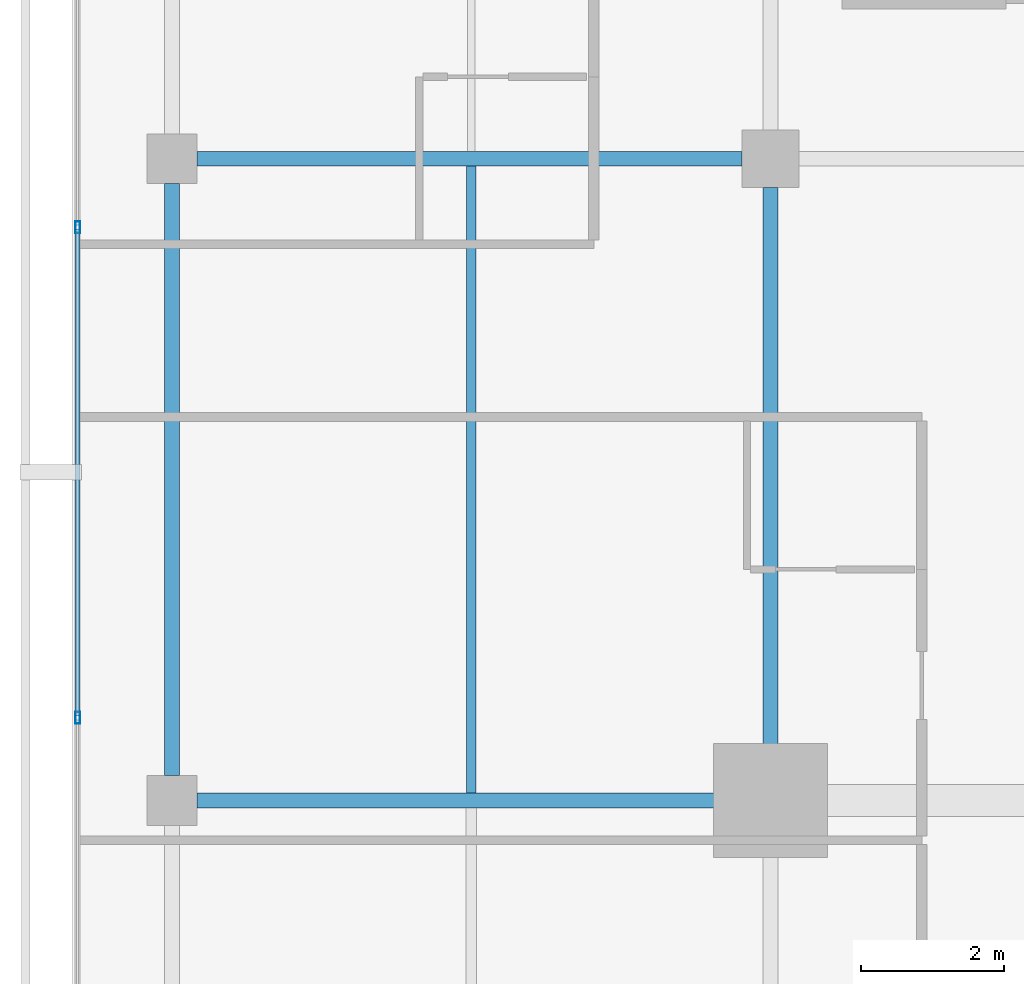
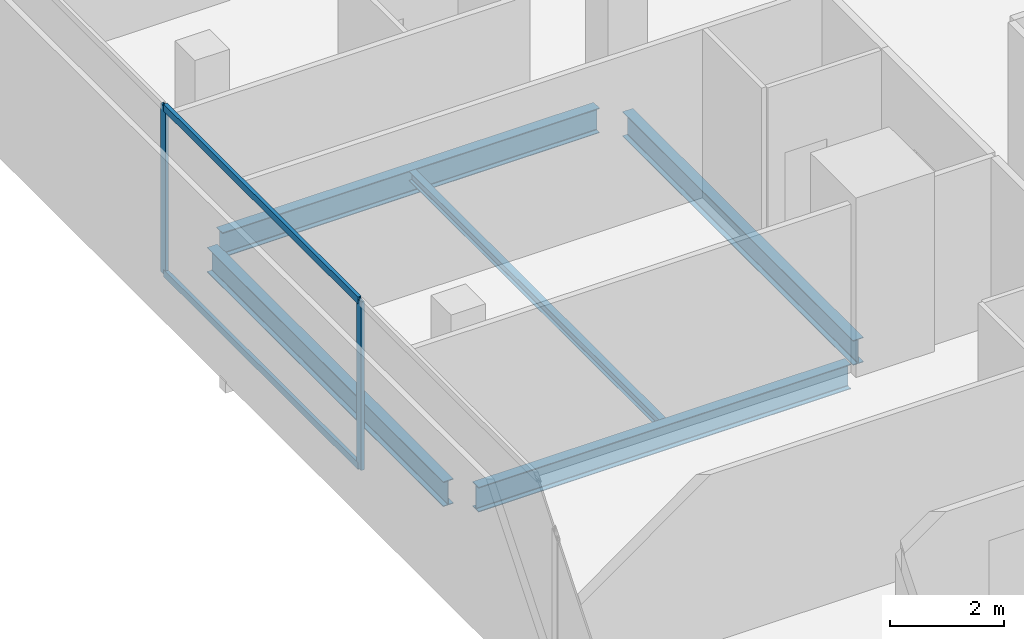
# One storey, part 8 of 25: 5 beams, 4 members, 1 element without a shape of its own.
"""IFC4 building model written with IfcOpenShell, lengths in metres."""

from ifc_helpers import new_model, si_unit, direction, frame, origin, origin_2d, place, context, subcontext, project, spatial, hollow_rectangle, i_section, extrude, material, layer, layer_set, material_profile, profile_set, type_object, element, aggregate, save


model = new_model("IFC4")

# Units and contexts
model_context = context("Model", 3, precision=1e-05, world=origin(), true_north=direction((0.0, 1.0)))
body_context = subcontext(model_context, "Body", "Model", "MODEL_VIEW")
ifc_project = project(units=[si_unit("LENGTHUNIT", "METRE"), si_unit("AREAUNIT", "SQUARE_METRE"), si_unit("VOLUMEUNIT", "CUBIC_METRE"), si_unit("PLANEANGLEUNIT", "RADIAN"), si_unit("MASSUNIT", "GRAM", prefix="KILO")], contexts=[model_context])

# Site, building, storey
site_placement = place(None, origin())
site = spatial("IfcSite", under=ifc_project, at=site_placement, CompositionType="ELEMENT")
building_placement = place(site_placement, origin())
building = spatial("IfcBuilding", under=site, at=building_placement, Name="Maruvema Waterfront Hotel and Observation Tower", CompositionType="ELEMENT")
storey_placement = place(building_placement, frame((0.0, 0.0, 270.199951171875)))
storey = spatial("IfcBuildingStorey", under=building, at=storey_placement, Name="L66", CompositionType="ELEMENT", Elevation=270.199951171875)

# Curtain wall, members
ifc_material_1 = material(Name="Anodised bronze aluminium and solar-control low-E IGU", Category="aluminium")
ifc_layer = layer(ifc_material_1, 0.159912109375, Name="Zone 3 Champagne Inner Thermal Curtain Wall System CW-04")
ifc_layer_set = layer_set([ifc_layer], Name="Anodised bronze aluminium and solar-control low-E IGU")
curtain_wall_type = type_object("IfcCurtainWallType", Name="Zone 3 Champagne Inner Thermal Curtain Wall System CW-04", PredefinedType="USERDEFINED", material=ifc_layer_set)
curtain_wall_placement = place(storey_placement, origin())
curtain_wall = element("IfcCurtainWall", 1, at=curtain_wall_placement, inside=storey, type_object=curtain_wall_type, Name="L66 Curtain Wall CW-L66-W", ObjectType="UNITISED CURTAIN WALL", PredefinedType="USERDEFINED")
ifc_material_2 = material(Name="Anodised architectural bronze aluminium", Category="aluminium")
ifc_material_profile_1 = material_profile(ifc_material_2, hollow_rectangle(XDim=0.070068359375, YDim=0.14990234375, WallThickness=0.00390625, at=origin_2d()), Name="ALU-T70x150")
ifc_profile_set_1 = profile_set([ifc_material_profile_1], Name="Anodised architectural bronze aluminium")
member_type_1 = type_object("IfcMemberType", Name="Curtain Wall Horizontal Transom ALU-T70x150", PredefinedType="USERDEFINED", material=ifc_profile_set_1)
member_1_placement = place(storey_placement, frame((15.47998046875, 35.010009765625, 0.030029296875), z_axis=(0.0, -1.0, 0.0), x_axis=(1.0, 0.0, 0.0)))
member_1 = element("IfcMember", 2, at=member_1_placement, type_object=member_type_1, Name="CW-04 transom 3.1", ObjectType="TRANSOM", PredefinedType="USERDEFINED", context=body_context, shape_type="SweptSolid", body=[
    extrude(hollow_rectangle(XDim=0.070068359375, YDim=0.14990234375, WallThickness=0.00390625, at=origin_2d()), origin(), (0.0, 0.0, 1.0), 6.820068359375),
])
member_2_placement = place(storey_placement, frame((15.47998046875, 35.010009765625, 3.580078125), z_axis=(0.0, -1.0, 0.0), x_axis=(1.0, 0.0, 0.0)))
member_2 = element("IfcMember", 3, at=member_2_placement, type_object=member_type_1, Name="CW-04 transom 3.2", ObjectType="TRANSOM", PredefinedType="USERDEFINED", context=body_context, shape_type="SweptSolid", body=[
    extrude(hollow_rectangle(XDim=0.070068359375, YDim=0.14990234375, WallThickness=0.00390625, at=origin_2d()), origin(), (0.0, 0.0, 1.0), 6.820068359375),
])
ifc_material_3 = material(Name="Anodised architectural bronze aluminium", Category="aluminium")
ifc_material_profile_2 = material_profile(ifc_material_3, hollow_rectangle(XDim=0.06494140625, YDim=0.1650390625, WallThickness=0.00390625, at=origin_2d()), Name="ALU-M65x165")
ifc_profile_set_2 = profile_set([ifc_material_profile_2], Name="Anodised architectural bronze aluminium")
member_type_2 = type_object("IfcMemberType", Name="Curtain Wall Primary Mullion ALU-M65x165", PredefinedType="MULLION", material=ifc_profile_set_2)
member_3_placement = place(storey_placement, frame((15.47998046875, 35.0400390625, 0.0), z_axis=(0.0, 0.0, 1.0), x_axis=(1.0, 0.0, 0.0)))
member_3 = element("IfcMember", 4, at=member_3_placement, type_object=member_type_2, Name="CW-04 mullion 3", PredefinedType="MULLION", context=body_context, shape_type="SweptSolid", body=[
    extrude(hollow_rectangle(XDim=0.06494140625, YDim=0.1650390625, WallThickness=0.00390625, at=origin_2d()), origin(), (0.0, 0.0, 1.0), 3.610107421875),
])
member_4_placement = place(storey_placement, frame((15.47998046875, 28.159912109375, 0.0), z_axis=(0.0, 0.0, 1.0), x_axis=(1.0, 0.0, 0.0)))
member_4 = element("IfcMember", 5, at=member_4_placement, type_object=member_type_2, Name="CW-04 mullion 4", PredefinedType="MULLION", context=body_context, shape_type="SweptSolid", body=[
    extrude(hollow_rectangle(XDim=0.06494140625, YDim=0.1650390625, WallThickness=0.00390625, at=origin_2d()), origin(), (0.0, 0.0, 1.0), 3.610107421875),
])
aggregate(curtain_wall, [member_3, member_4, member_1, member_2])

# Beams
ifc_material_4 = material(Name="Steel ASTM A572 Grade 50", Category="steel")
ifc_material_profile_3 = material_profile(ifc_material_4, i_section(OverallWidth=0.208984375, OverallDepth=0.532958984375, WebThickness=0.01025390625, FlangeThickness=0.015625, FilletRadius=0.014892578125, at=origin_2d()), Name="W530x92.0")
ifc_profile_set_3 = profile_set([ifc_material_profile_3], Name="Steel ASTM A572 Grade 50")
beam_type_1 = type_object("IfcBeamType", Name="Primary Floor Girder W530x92.0", PredefinedType="BEAM", material=ifc_profile_set_3)
beam_1_placement = place(storey_placement, frame((17.14990234375, 27.0, -0.50634765625), z_axis=(1.0, 0.0, 0.0), x_axis=(0.0, 1.0, 0.0)))
element("IfcBeam", 6, at=beam_1_placement, inside=storey, type_object=beam_type_1, Name="L66 Floor Girder EW-09", PredefinedType="BEAM", context=body_context, shape_type="SweptSolid", body=[
    extrude(i_section(OverallWidth=0.208984375, OverallDepth=0.532958984375, WebThickness=0.01025390625, FlangeThickness=0.015625, FilletRadius=0.014892578125, at=origin_2d()), origin(), (0.0, 0.0, 1.0), 7.550048828125),
])
beam_2_placement = place(storey_placement, frame((17.14990234375, 36.0, -0.50634765625), z_axis=(1.0, 0.0, 0.0), x_axis=(0.0, 1.0, 0.0)))
element("IfcBeam", 7, at=beam_2_placement, inside=storey, type_object=beam_type_1, Name="L66 Floor Girder EW-12", PredefinedType="BEAM", context=body_context, shape_type="SweptSolid", body=[
    extrude(i_section(OverallWidth=0.208984375, OverallDepth=0.532958984375, WebThickness=0.01025390625, FlangeThickness=0.015625, FilletRadius=0.014892578125, at=origin_2d()), origin(), (0.0, 0.0, 1.0), 7.650146484375),
])
beam_3_placement = place(storey_placement, frame((16.800048828125, 27.35009765625, -0.50634765625), z_axis=(0.0, 1.0, 0.0), x_axis=(-1.0, 0.0, 0.0)))
element("IfcBeam", 8, at=beam_3_placement, inside=storey, type_object=beam_type_1, Name="L66 Floor Girder NS-02", PredefinedType="BEAM", context=body_context, shape_type="SweptSolid", body=[
    extrude(i_section(OverallWidth=0.208984375, OverallDepth=0.532958984375, WebThickness=0.01025390625, FlangeThickness=0.015625, FilletRadius=0.014892578125, at=origin_2d()), origin(), (0.0, 0.0, 1.0), 8.2998046875),
])
beam_4_placement = place(storey_placement, frame((25.199951171875, 27.5, -0.50634765625), z_axis=(0.0, 1.0, 0.0), x_axis=(-1.0, 0.0, 0.0)))
element("IfcBeam", 9, at=beam_4_placement, inside=storey, type_object=beam_type_1, Name="L66 Floor Girder NS-06", PredefinedType="BEAM", context=body_context, shape_type="SweptSolid", body=[
    extrude(i_section(OverallWidth=0.208984375, OverallDepth=0.532958984375, WebThickness=0.01025390625, FlangeThickness=0.015625, FilletRadius=0.014892578125, at=origin_2d()), origin(), (0.0, 0.0, 1.0), 8.10009765625),
])
ifc_material_5 = material(Name="Steel ASTM A572 Grade 50", Category="steel")
ifc_material_profile_4 = material_profile(ifc_material_5, i_section(OverallWidth=0.133056640625, OverallDepth=0.20703125, WebThickness=0.005859375, FlangeThickness=0.00830078125, FilletRadius=0.010009765625, at=origin_2d()), Name="W200x26.6")
ifc_profile_set_4 = profile_set([ifc_material_profile_4], Name="Steel ASTM A572 Grade 50")
beam_type_2 = type_object("IfcBeamType", Name="Secondary Floor Joist W200x26.6", PredefinedType="JOIST", material=ifc_profile_set_4)
beam_5_placement = place(storey_placement, frame((21.0, 27.1044921875, -0.343505859375), z_axis=(0.0, 1.0, 0.0), x_axis=(-1.0, 0.0, 0.0)))
element("IfcBeam", 10, at=beam_5_placement, inside=storey, type_object=beam_type_2, Name="L66 Secondary Floor Joist JS-02", PredefinedType="JOIST", context=body_context, shape_type="SweptSolid", body=[
    extrude(i_section(OverallWidth=0.133056640625, OverallDepth=0.20703125, WebThickness=0.005859375, FlangeThickness=0.00830078125, FilletRadius=0.010009765625, at=origin_2d()), origin(), (0.0, 0.0, 1.0), 8.791015625),
])

save(model, "model.ifc")
